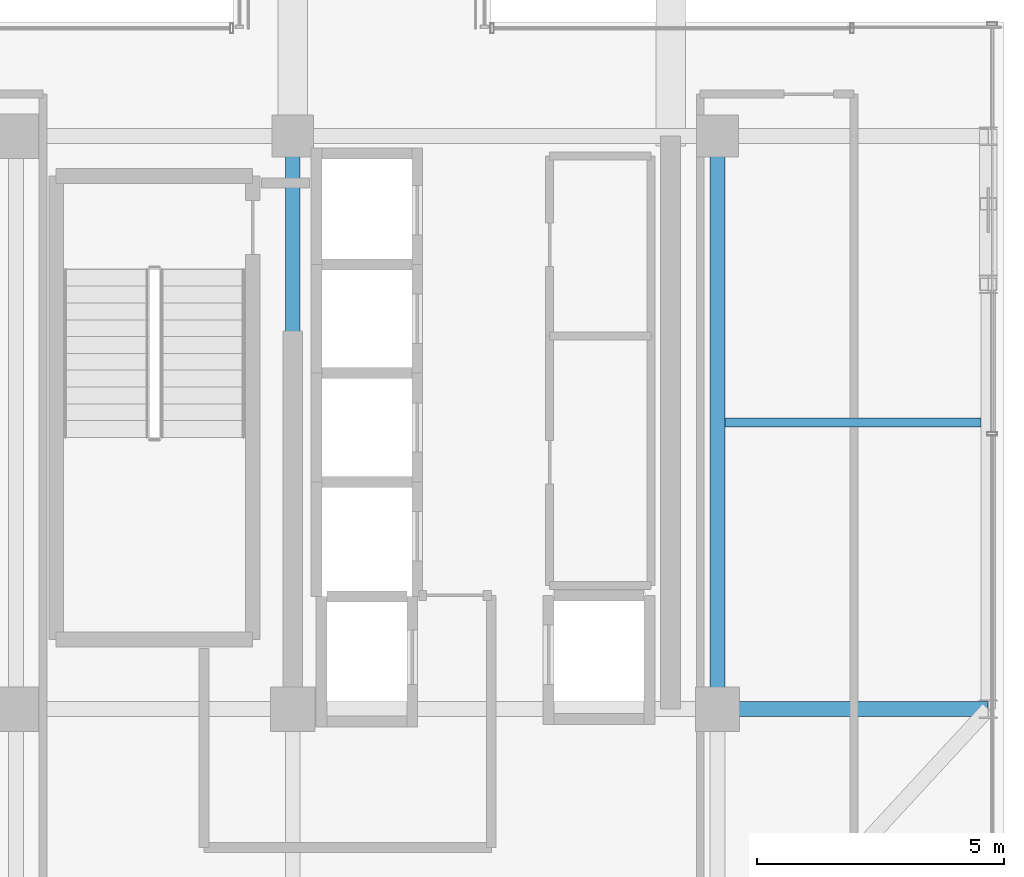
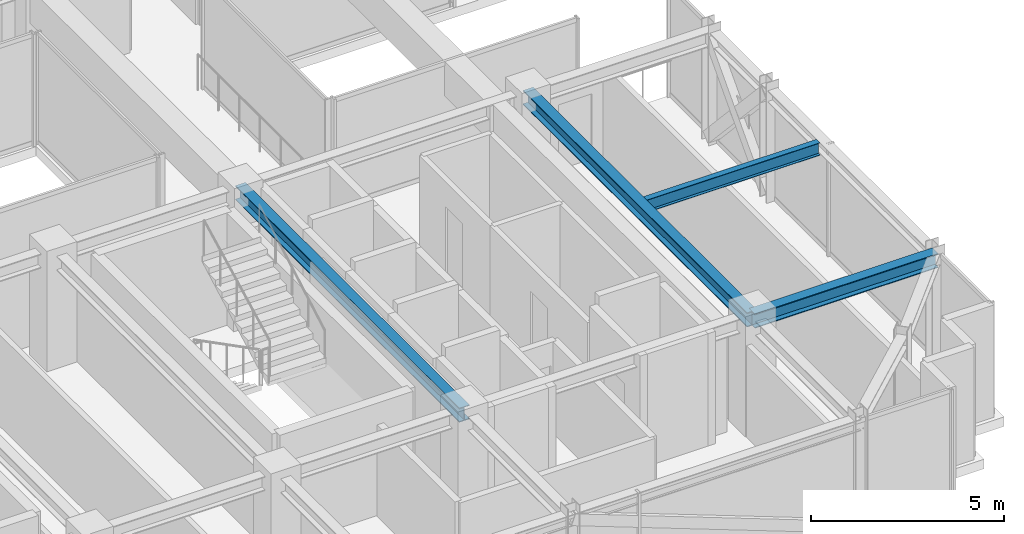
# One storey, part 15 of 37: 4 beams.
"""IFC4 building model written with IfcOpenShell, lengths in metres."""

from ifc_helpers import new_model, si_unit, direction, frame, origin, origin_2d, place, context, subcontext, project, spatial, i_section, extrude, source, transform, mapped, material, material_profile, profile_set, type_object, element, save


model = new_model("IFC4")

# Units and contexts
model_context = context("Model", 3, precision=1e-05, world=origin(), true_north=direction((0.0, 1.0)))
body_context = subcontext(model_context, "Body", "Model", "MODEL_VIEW")
ifc_project = project(units=[si_unit("LENGTHUNIT", "METRE"), si_unit("AREAUNIT", "SQUARE_METRE"), si_unit("VOLUMEUNIT", "CUBIC_METRE"), si_unit("PLANEANGLEUNIT", "RADIAN"), si_unit("MASSUNIT", "GRAM", prefix="KILO")], contexts=[model_context])

# Site, building, storey
site_placement = place(None, origin())
site = spatial("IfcSite", under=ifc_project, at=site_placement, CompositionType="ELEMENT")
building_placement = place(site_placement, origin())
building = spatial("IfcBuilding", under=site, at=building_placement, Name="Nahalor Promenade Grand Hotel", CompositionType="ELEMENT")
storey_placement = place(building_placement, frame((0.0, 0.0, 292.64990234375)))
storey = spatial("IfcBuildingStorey", under=building, at=storey_placement, Name="L75", CompositionType="ELEMENT", Elevation=292.64990234375)

# Beams
ifc_material = material(Name="Steel S355JR", Category="steel")
ifc_material_profile_1 = material_profile(ifc_material, i_section(OverallWidth=0.3, OverallDepth=0.45, WebThickness=0.014, FlangeThickness=0.026, at=origin_2d()), Name="HEB 450")
ifc_profile_set_1 = profile_set([ifc_material_profile_1], Name="Steel S355JR")
beam_type_1 = type_object("IfcBeamType", Name="Beam-Girder-HEB450", PredefinedType="BEAM", material=ifc_profile_set_1)
shared_shape_1 = source(origin(), body_context, "Body", "SweptSolid", [
    extrude(i_section(OverallWidth=0.3, OverallDepth=0.45, WebThickness=0.014, FlangeThickness=0.026, at=origin_2d()), origin(), (0.0, 0.0, 1.0), 11.60009765625),
])
for number, where, z_axis, x_axis, name in (
    (1, (8.39990234375, -17.0, 3.3251953125), (0.0, 1.0, 0.0), (-1.0, 0.0, 0.0), "BM-L75-GY-4-1"),
    (2, (17.0, -17.0, 3.3251953125), (0.0, 1.0, 0.0), (-1.0, 0.0, 0.0), "BM-L75-GY-5-1"),
):
    element("IfcBeam", number, at=place(storey_placement, frame(where, z_axis=z_axis, x_axis=x_axis)), inside=storey, type_object=beam_type_1, Name=name, PredefinedType="BEAM", context=body_context, shape_type="MappedRepresentation", body=[
        mapped(shared_shape_1, transform((0.0, 0.0, 0.0), scale=1.0)),
    ])
shared_shape_2 = source(origin(), body_context, "Body", "SweptSolid", [
    extrude(i_section(OverallWidth=0.3, OverallDepth=0.45, WebThickness=0.014, FlangeThickness=0.026, at=origin_2d()), origin(), (0.0, 0.0, 1.0), 5.47998046875),
])
beam_1_placement = place(storey_placement, frame((17.0, -17.0, 3.3251953125), z_axis=(1.0, 0.0, 0.0), x_axis=(0.0, 1.0, 0.0)))
element("IfcBeam", 3, at=beam_1_placement, inside=storey, type_object=beam_type_1, Name="BM-L75-GX-0-6", PredefinedType="BEAM", context=body_context, shape_type="MappedRepresentation", body=[
    mapped(shared_shape_2, transform((0.0, 0.0, 0.0), scale=1.0)),
])
ifc_material_profile_2 = material_profile(ifc_material, i_section(OverallWidth=0.18, OverallDepth=0.4, WebThickness=0.0086, FlangeThickness=0.0135, at=origin_2d()), Name="IPE 400")
ifc_profile_set_2 = profile_set([ifc_material_profile_2], Name="Steel S355JR")
beam_type_2 = type_object("IfcBeamType", Name="Beam-Joist-IPE400", PredefinedType="JOIST", material=ifc_profile_set_2)
shared_shape_3 = source(origin(), body_context, "Body", "SweptSolid", [
    extrude(i_section(OverallWidth=0.18, OverallDepth=0.4, WebThickness=0.0086, FlangeThickness=0.0135, at=origin_2d()), origin(), (0.0, 0.0, 1.0), 5.18017578125),
])
beam_2_placement = place(storey_placement, frame((17.14990234375, -11.199951171875, 3.35009765625), z_axis=(1.0, 0.0, 0.0), x_axis=(0.0, 1.0, 0.0)))
element("IfcBeam", 4, at=beam_2_placement, inside=storey, type_object=beam_type_2, Name="BM-L75-JSE-0-2", PredefinedType="JOIST", context=body_context, shape_type="MappedRepresentation", body=[
    mapped(shared_shape_3, transform((0.0, 0.0, 0.0), scale=1.0)),
])

save(model, "model.ifc")
